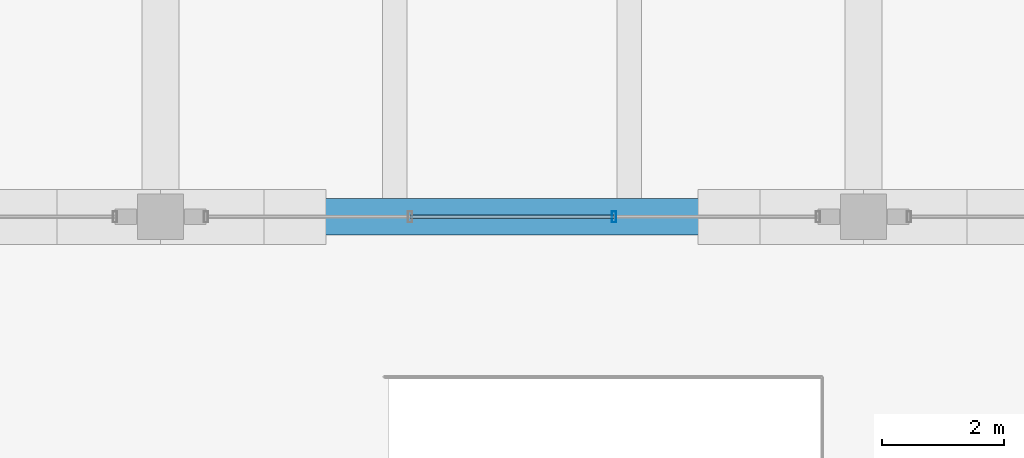
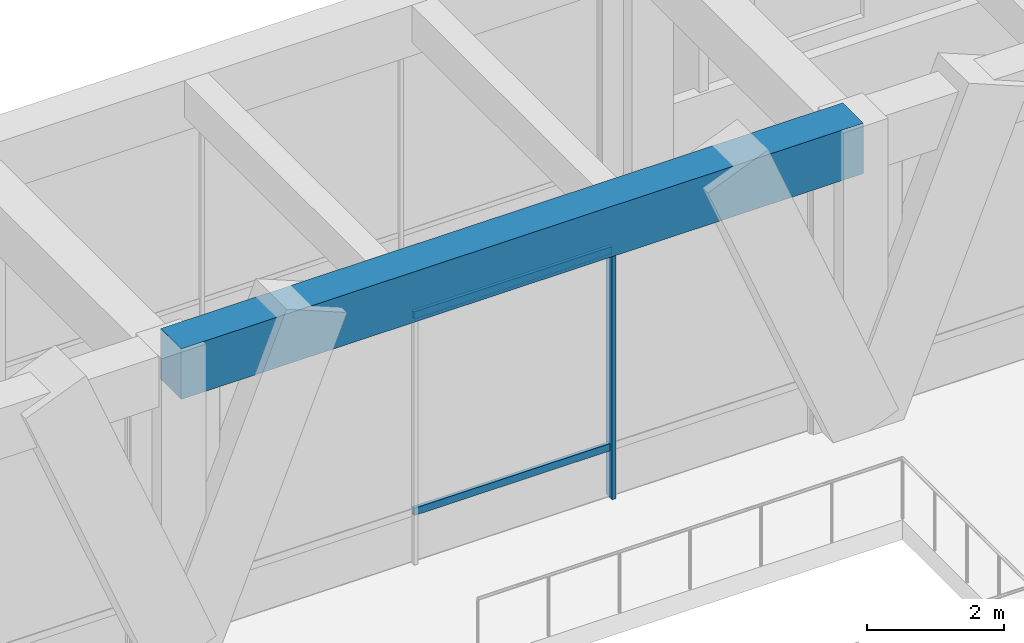
# One storey, part 70 of 148: 3 members, 1 beam, 1 element without a shape of its own.
"""IFC4 building model written with IfcOpenShell, lengths in metres."""

from ifc_helpers import new_model, si_unit, direction, frame, origin, origin_2d, place, context, subcontext, project, spatial, rectangle, hollow_rectangle, extrude, material, material_profile, profile_set, type_object, element, aggregate, save


model = new_model("IFC4")

# Units and contexts
model_context = context("Model", 3, precision=1e-05, world=origin(), true_north=direction((0.0, 1.0)))
body_context = subcontext(model_context, "Body", "Model", "MODEL_VIEW")
ifc_project = project(units=[si_unit("LENGTHUNIT", "METRE"), si_unit("AREAUNIT", "SQUARE_METRE"), si_unit("VOLUMEUNIT", "CUBIC_METRE"), si_unit("PLANEANGLEUNIT", "RADIAN"), si_unit("MASSUNIT", "GRAM", prefix="KILO")], contexts=[model_context])

# Site, building, storey
site_placement = place(None, origin())
site = spatial("IfcSite", under=ifc_project, at=site_placement, CompositionType="ELEMENT")
building_placement = place(site_placement, origin())
building = spatial("IfcBuilding", under=site, at=building_placement, Name="Ologun Quay Terminus", CompositionType="ELEMENT")
storey_placement = place(building_placement, frame((0.0, 0.0, 8.39990234375)))
storey = spatial("IfcBuildingStorey", under=building, at=storey_placement, Name="L02", CompositionType="ELEMENT", Elevation=8.39990234375)

# Curtain wall, members
ifc_material_1 = material(Name="Aluminium 6063-T6", Category="aluminium")
curtain_wall_type = type_object("IfcCurtainWallType", Name="Train Shed North Clerestory Curtain Wall 10700x4850", PredefinedType="USERDEFINED", material=ifc_material_1)
curtain_wall_placement = place(storey_placement, origin())
curtain_wall = element("IfcCurtainWall", 1, at=curtain_wall_placement, inside=storey, type_object=curtain_wall_type, Name="CW-09 Curtain Wall CW-L02-063", ObjectType="UNITISED CURTAIN WALL", PredefinedType="USERDEFINED")
ifc_material_2 = material(Name="Aluminium 6063-T6", Category="aluminium")
ifc_material_profile_1 = material_profile(ifc_material_2, hollow_rectangle(XDim=0.070068359375, YDim=0.179931640625, WallThickness=0.0048828125, at=origin_2d()), Name="ALU 180x70x5")
ifc_profile_set_1 = profile_set([ifc_material_profile_1], Name="Aluminium 6063-T6")
member_type_1 = type_object("IfcMemberType", Name="Concourse Clerestory Mullion 180x70", PredefinedType="MULLION", material=ifc_profile_set_1)
member_1_placement = place(storey_placement, frame((110.918212890625, 78.0, 0.0), z_axis=(0.0, 0.0, 1.0), x_axis=(1.0, 0.0, 0.0)))
member_1 = element("IfcMember", 2, at=member_1_placement, type_object=member_type_1, Name="CW-L02-063 Mullion 3", PredefinedType="MULLION", context=body_context, shape_type="SweptSolid", body=[
    extrude(hollow_rectangle(XDim=0.070068359375, YDim=0.179931640625, WallThickness=0.0048828125, at=origin_2d()), origin(), (0.0, 0.0, 1.0), 5.10009765625),
])
ifc_material_3 = material(Name="Aluminium 6063-T6", Category="aluminium")
ifc_material_profile_2 = material_profile(ifc_material_3, hollow_rectangle(XDim=0.06005859375, YDim=0.1298828125, WallThickness=0.00390625, at=origin_2d()), Name="ALU 130x60x4")
ifc_profile_set_2 = profile_set([ifc_material_profile_2], Name="Aluminium 6063-T6")
member_type_2 = type_object("IfcMemberType", Name="Concourse Clerestory Transom 130x60", PredefinedType="USERDEFINED", material=ifc_profile_set_2)
member_2_placement = place(storey_placement, frame((107.581787109375, 78.0, 0.900146484375), z_axis=(1.0, 0.0, 0.0), x_axis=(0.0, 1.0, 0.0)))
member_2 = element("IfcMember", 3, at=member_2_placement, type_object=member_type_2, Name="CW-L02-063 Transom B2-1", ObjectType="TRANSOM", PredefinedType="USERDEFINED", context=body_context, shape_type="SweptSolid", body=[
    extrude(hollow_rectangle(XDim=0.06005859375, YDim=0.1298828125, WallThickness=0.00390625, at=origin_2d()), origin(), (0.0, 0.0, 1.0), 3.33642578125),
])
member_3_placement = place(storey_placement, frame((107.581787109375, 78.0, 4.400146484375), z_axis=(1.0, 0.0, 0.0), x_axis=(0.0, 1.0, 0.0)))
member_3 = element("IfcMember", 4, at=member_3_placement, type_object=member_type_2, Name="CW-L02-063 Transom B2-2", ObjectType="TRANSOM", PredefinedType="USERDEFINED", context=body_context, shape_type="SweptSolid", body=[
    extrude(hollow_rectangle(XDim=0.06005859375, YDim=0.1298828125, WallThickness=0.00390625, at=origin_2d()), origin(), (0.0, 0.0, 1.0), 3.33642578125),
])
aggregate(curtain_wall, [member_1, member_2, member_3])

# Beam
ifc_material_4 = material(Name="Concrete C40/50", Category="concrete")
ifc_material_profile_3 = material_profile(ifc_material_4, rectangle(XDim=0.60009765625, YDim=0.89990234375, at=origin_2d()), Name="RC 600x900")
ifc_profile_set_3 = profile_set([ifc_material_profile_3], Name="Concrete C40/50")
beam_type = type_object("IfcBeamType", Name="Station Frame Girder 600x900", PredefinedType="BEAM", material=ifc_profile_set_3)
beam_placement = place(storey_placement, frame((103.5, 78.0, 4.9501953125), z_axis=(1.0, 0.0, 0.0), x_axis=(0.0, 1.0, 0.0)))
element("IfcBeam", 5, at=beam_placement, inside=storey, type_object=beam_type, Name="B3 Beam 10/F L02", PredefinedType="BEAM", context=body_context, shape_type="SweptSolid", body=[
    extrude(rectangle(XDim=0.60009765625, YDim=0.89990234375, at=origin_2d()), origin(), (0.0, 0.0, 1.0), 11.5),
])

save(model, "model.ifc")
